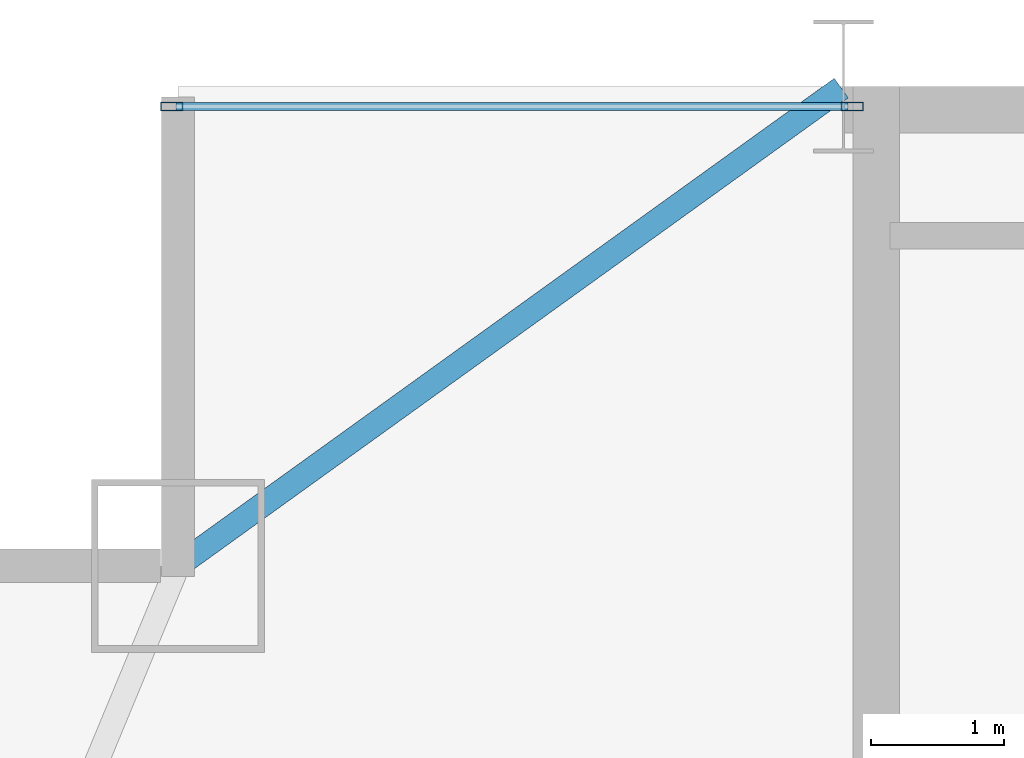
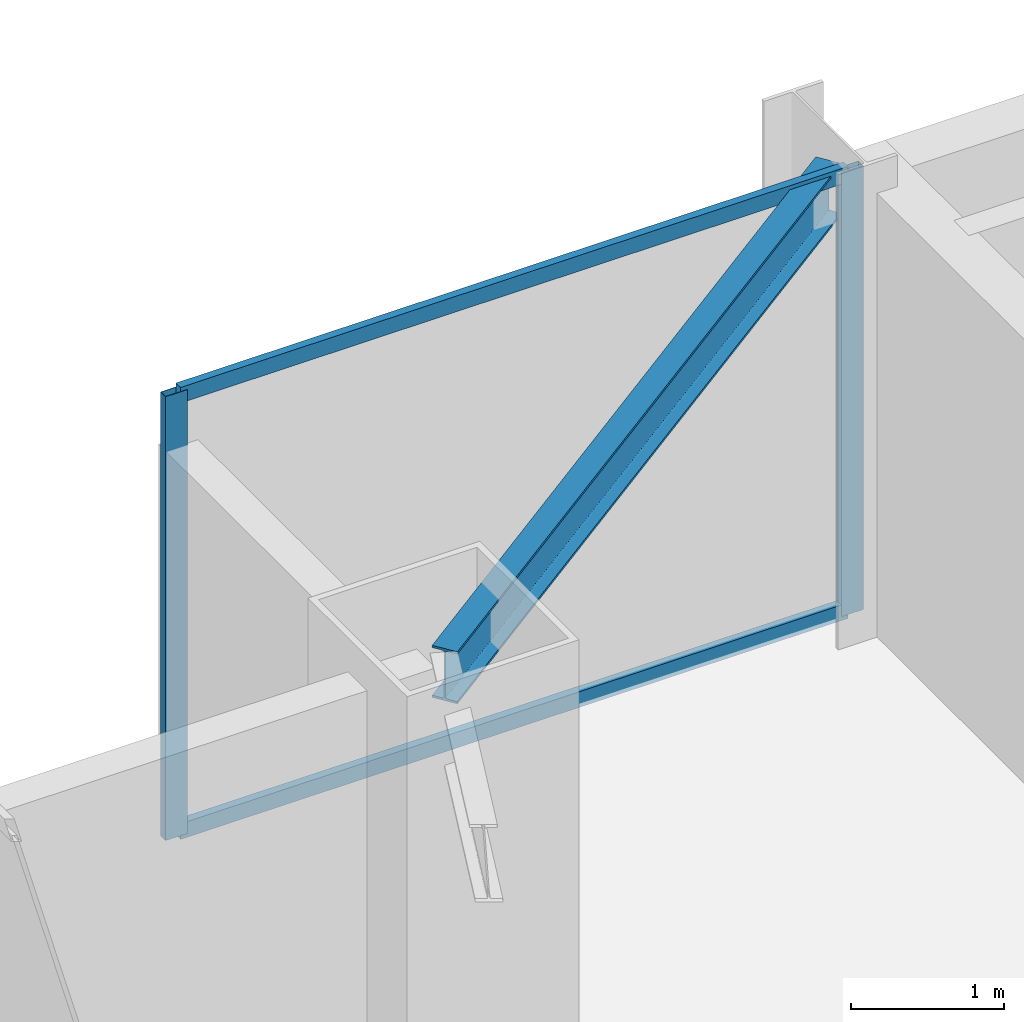
# One storey, part 22 of 34: 4 members, 1 beam, 1 element without a shape of its own.
"""IFC4 building model written with IfcOpenShell, lengths in metres."""

from ifc_helpers import new_model, si_unit, direction, frame, origin, origin_2d, place, context, subcontext, project, spatial, hollow_rectangle, i_section, extrude, source, transform, mapped, material, layer, layer_set, material_profile, profile_set, type_object, type_shapes, element, aggregate, save


model = new_model("IFC4")

# Units and contexts
model_context = context("Model", 3, precision=1e-05, world=origin(), true_north=direction((0.0, 1.0)))
body_context = subcontext(model_context, "Body", "Model", "MODEL_VIEW")
ifc_project = project(units=[si_unit("LENGTHUNIT", "METRE"), si_unit("AREAUNIT", "SQUARE_METRE"), si_unit("VOLUMEUNIT", "CUBIC_METRE"), si_unit("PLANEANGLEUNIT", "RADIAN"), si_unit("MASSUNIT", "GRAM", prefix="KILO")], contexts=[model_context])

# Site, building, storey
site_placement = place(None, origin())
site = spatial("IfcSite", under=ifc_project, at=site_placement, CompositionType="ELEMENT")
building_placement = place(site_placement, origin())
building = spatial("IfcBuilding", under=site, at=building_placement, Name="Varnel Quay Broadcast Tower", CompositionType="ELEMENT")
storey_placement = place(building_placement, frame((0.0, 0.0, 176.199951171875)))
storey = spatial("IfcBuildingStorey", under=building, at=storey_placement, Name="L43", CompositionType="ELEMENT", Elevation=176.199951171875)

# Beam
ifc_material_1 = material(Name="Structural Steel CSA G40.21 350W", Category="steel")
ifc_material_profile_1 = material_profile(ifc_material_1, i_section(OverallWidth=0.180908203125, OverallDepth=0.4169921875, WebThickness=0.010986328125, FlangeThickness=0.018310546875, FilletRadius=0.011962890625, at=origin_2d()), Name="W410X85")
ifc_profile_set_1 = profile_set([ifc_material_profile_1], Name="Structural Steel CSA G40.21 350W")
beam_type = type_object("IfcBeamType", Name="Beam_W410X85", PredefinedType="SPANDREL", material=ifc_profile_set_1)
shared_shape_1 = source(origin(), body_context, "Body", "SweptSolid", [
    extrude(i_section(OverallWidth=0.180908203125, OverallDepth=0.4169921875, WebThickness=0.010986328125, FlangeThickness=0.018310546875, FilletRadius=0.011962890625, at=origin_2d()), origin(), (0.0, 0.0, 1.0), 6.12109375),
])
type_shapes(beam_type, [shared_shape_1])
beam_placement = place(storey_placement, frame((10.6162109375, 43.211669921875, 3.341552734375), z_axis=(0.811531315425, 0.584308928637, 0.0), x_axis=(-0.584308928637, 0.811531315425, 0.0)))
element("IfcBeam", 1, at=beam_placement, inside=storey, type_object=beam_type, Name="L43 NW Tie Spandrel", PredefinedType="SPANDREL", context=body_context, shape_type="MappedRepresentation", body=[
    mapped(shared_shape_1, transform((0.0, 0.0, 0.0), x_axis=(1.0, 0.0, 0.0), y_axis=(0.0, 1.0, 0.0), z_axis=(0.0, 0.0, 1.0), scale=1.0)),
])

# Curtain wall, members
ifc_material_2 = material(Name="Anodised Bronze Aluminium 6063-T6", Category="aluminium")
ifc_layer = layer(ifc_material_2, 0.18994140625, Name="Anodised Bronze Aluminium 6063-T6")
ifc_layer_set = layer_set([ifc_layer], Name="Anodised Bronze Aluminium 6063-T6")
curtain_wall_type = type_object("IfcCurtainWallType", Name="CW_UpperTower", PredefinedType="NOTDEFINED", material=ifc_layer_set)
curtain_wall_placement = place(storey_placement, origin())
curtain_wall = element("IfcCurtainWall", 2, at=curtain_wall_placement, inside=storey, type_object=curtain_wall_type, Name="L43 NW Wing Curtain Wall", PredefinedType="NOTDEFINED")
ifc_material_profile_2 = material_profile(ifc_material_2, hollow_rectangle(XDim=0.06494140625, YDim=0.1650390625, WallThickness=0.00341796875, at=origin_2d()), Name="ALU65X165X3.5")
ifc_profile_set_2 = profile_set([ifc_material_profile_2], Name="Anodised Bronze Aluminium 6063-T6")
member_type_1 = type_object("IfcMemberType", Name="Mull_CWS-03", PredefinedType="MULLION", material=ifc_profile_set_2)
shared_shape_2 = source(origin(), body_context, "Body", "SweptSolid", [
    extrude(hollow_rectangle(XDim=0.06494140625, YDim=0.1650390625, WallThickness=0.00341796875, at=origin_2d()), origin(), (0.0, 0.0, 1.0), 3.550048828125),
])
type_shapes(member_type_1, [shared_shape_2])
member_1_placement = place(storey_placement, frame((10.552490234375, 46.64990234375, 0.0), z_axis=(0.0, 0.0, 1.0), x_axis=(0.0, 1.0, 0.0)))
member_1 = element("IfcMember", 3, at=member_1_placement, type_object=member_type_1, Name="CWS-03 mullion 1", PredefinedType="MULLION", context=body_context, shape_type="MappedRepresentation", body=[
    mapped(shared_shape_2, transform((0.0, 0.0, 0.0), x_axis=(1.0, 0.0, 0.0), y_axis=(0.0, 1.0, 0.0), z_axis=(0.0, 0.0, 1.0), scale=1.0)),
])
member_2_placement = place(storey_placement, frame((15.66748046875, 46.64990234375, 0.0), z_axis=(0.0, 0.0, 1.0), x_axis=(0.0, 1.0, 0.0)))
member_2 = element("IfcMember", 4, at=member_2_placement, type_object=member_type_1, Name="CWS-03 mullion 2", PredefinedType="MULLION", context=body_context, shape_type="MappedRepresentation", body=[
    mapped(shared_shape_2, transform((0.0, 0.0, 0.0), x_axis=(1.0, 0.0, 0.0), y_axis=(0.0, 1.0, 0.0), z_axis=(0.0, 0.0, 1.0), scale=1.0)),
])
ifc_material_profile_3 = material_profile(ifc_material_2, hollow_rectangle(XDim=0.06005859375, YDim=0.125, WallThickness=0.0029296875, at=origin_2d()), Name="ALU60X125X3")
ifc_profile_set_3 = profile_set([ifc_material_profile_3], Name="Anodised Bronze Aluminium 6063-T6")
member_type_2 = type_object("IfcMemberType", Name="Tran_CWS-03", PredefinedType="USERDEFINED", material=ifc_profile_set_3)
shared_shape_3 = source(origin(), body_context, "Body", "SweptSolid", [
    extrude(hollow_rectangle(XDim=0.06005859375, YDim=0.125, WallThickness=0.0029296875, at=origin_2d()), origin(), (0.0, 0.0, 1.0), 5.050048828125),
])
type_shapes(member_type_2, [shared_shape_3])
member_3_placement = place(storey_placement, frame((10.5849609375, 46.64990234375, 0.030029296875), z_axis=(1.0, 0.0, 0.0), x_axis=(0.0, 1.0, 0.0)))
member_3 = element("IfcMember", 5, at=member_3_placement, type_object=member_type_2, Name="CWS-03 transom 1.1", ObjectType="TRANSOM", PredefinedType="USERDEFINED", context=body_context, shape_type="MappedRepresentation", body=[
    mapped(shared_shape_3, transform((0.0, 0.0, 0.0), x_axis=(1.0, 0.0, 0.0), y_axis=(0.0, 1.0, 0.0), z_axis=(0.0, 0.0, 1.0), scale=1.0)),
])
member_4_placement = place(storey_placement, frame((10.5849609375, 46.64990234375, 3.52001953125), z_axis=(1.0, 0.0, 0.0), x_axis=(0.0, 1.0, 0.0)))
member_4 = element("IfcMember", 6, at=member_4_placement, type_object=member_type_2, Name="CWS-03 transom 1.2", ObjectType="TRANSOM", PredefinedType="USERDEFINED", context=body_context, shape_type="MappedRepresentation", body=[
    mapped(shared_shape_3, transform((0.0, 0.0, 0.0), x_axis=(1.0, 0.0, 0.0), y_axis=(0.0, 1.0, 0.0), z_axis=(0.0, 0.0, 1.0), scale=1.0)),
])
aggregate(curtain_wall, [member_1, member_2, member_3, member_4])

save(model, "model.ifc")
